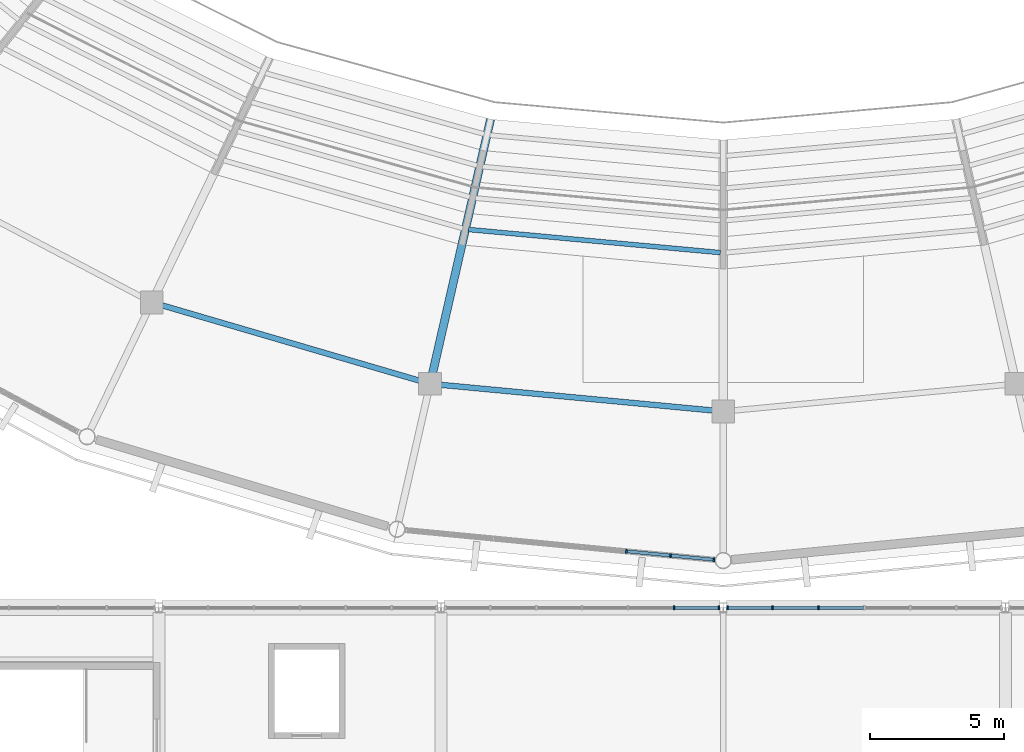
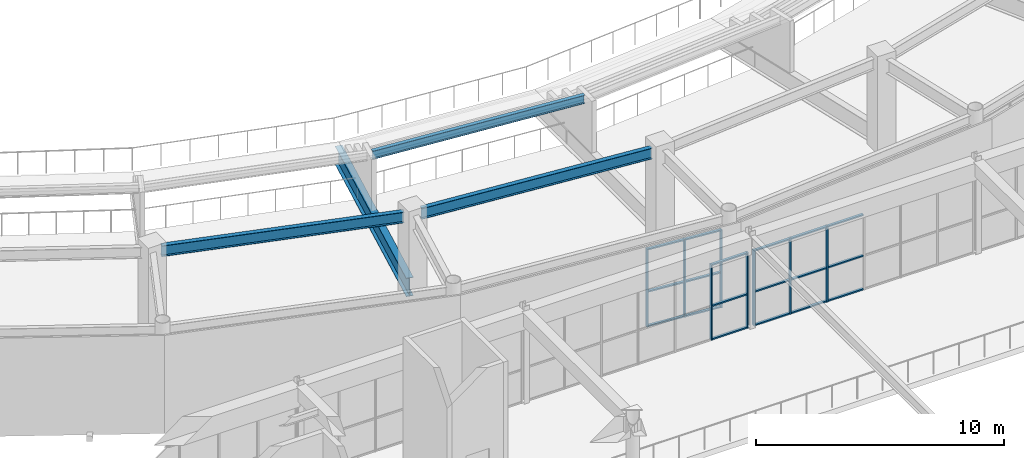
# One storey, part 33 of 122: 26 members, 4 beams, 3 elements without a shape of their own.
"""IFC4 building model written with IfcOpenShell, lengths in metres."""

from ifc_helpers import new_model, si_unit, direction, frame, origin, origin_2d, place, context, subcontext, project, spatial, rectangle, i_section, extrude, material, material_profile, profile_set, type_object, element, aggregate, save


model = new_model("IFC4")

# Units and contexts
model_context = context("Model", 3, precision=1e-05, world=origin(), true_north=direction((0.0, 1.0)))
body_context = subcontext(model_context, "Body", "Model", "MODEL_VIEW")
ifc_project = project(units=[si_unit("LENGTHUNIT", "METRE"), si_unit("AREAUNIT", "SQUARE_METRE"), si_unit("VOLUMEUNIT", "CUBIC_METRE"), si_unit("PLANEANGLEUNIT", "RADIAN"), si_unit("MASSUNIT", "GRAM", prefix="KILO")], contexts=[model_context])

# Site, building, storey
site_placement = place(None, origin())
site = spatial("IfcSite", under=ifc_project, at=site_placement, CompositionType="ELEMENT")
building_placement = place(site_placement, origin())
building = spatial("IfcBuilding", under=site, at=building_placement, Name="Cuetzalor Civic Arena", CompositionType="ELEMENT")
storey_placement = place(building_placement, frame((0.0, 0.0, 16.199951171875)))
storey = spatial("IfcBuildingStorey", under=building, at=storey_placement, Name="L03", CompositionType="ELEMENT", Elevation=16.199951171875)

# Curtain wall, members
ifc_material_1 = material(Name="Anodised dark bronze aluminium and low-E solar glass", Category="aluminium")
curtain_wall_type_1 = type_object("IfcCurtainWallType", Name="UnitisedCW_11550x3850", PredefinedType="USERDEFINED", material=ifc_material_1)
curtain_wall_1_placement = place(storey_placement, origin())
curtain_wall_1 = element("IfcCurtainWall", 1, at=curtain_wall_1_placement, inside=storey, type_object=curtain_wall_type_1, Name="Drum Triangle Foyer Curtain Wall L03-053", ObjectType="UNITISED CURTAIN WALL", PredefinedType="USERDEFINED")
ifc_material_2 = material(Name="Anodised dark bronze aluminium", Category="aluminium")
ifc_material_profile_1 = material_profile(ifc_material_2, rectangle(XDim=0.06494140625, YDim=0.14990234375, at=origin_2d()), Name="ALU MULLION 65x150")
ifc_profile_set_1 = profile_set([ifc_material_profile_1], Name="Anodised dark bronze aluminium")
member_type_1 = type_object("IfcMemberType", Name="CurtainWallMullion_60x150", PredefinedType="MULLION", material=ifc_profile_set_1)
member_1_placement = place(storey_placement, frame((-0.345703125, -46.516845703125, 0.0), z_axis=(0.0, 0.0, 1.0), x_axis=(-0.995409139996, 0.095711253324, 0.0)))
member_1 = element("IfcMember", 2, at=member_1_placement, type_object=member_type_1, Name="CW-14 mullion 1", PredefinedType="MULLION", context=body_context, shape_type="SweptSolid", body=[
    extrude(rectangle(XDim=0.06494140625, YDim=0.14990234375, at=origin_2d()), origin(), (0.0, 0.0, 1.0), 3.83203125),
])
member_2_placement = place(storey_placement, frame((-1.957763671875, -46.36181640625, 0.0), z_axis=(0.0, 0.0, 1.0), x_axis=(-0.995409139996, 0.095711253324, 0.0)))
member_2 = element("IfcMember", 3, at=member_2_placement, type_object=member_type_1, Name="CW-14 mullion 2", PredefinedType="MULLION", context=body_context, shape_type="SweptSolid", body=[
    extrude(rectangle(XDim=0.06494140625, YDim=0.14990234375, at=origin_2d()), origin(), (0.0, 0.0, 1.0), 3.83203125),
])
member_3_placement = place(storey_placement, frame((-3.602294921875, -46.20361328125, 0.0), z_axis=(0.0, 0.0, 1.0), x_axis=(-0.995409139996, 0.095711253324, 0.0)))
member_3 = element("IfcMember", 4, at=member_3_placement, type_object=member_type_1, Name="CW-14 mullion 3", PredefinedType="MULLION", context=body_context, shape_type="SweptSolid", body=[
    extrude(rectangle(XDim=0.06494140625, YDim=0.14990234375, at=origin_2d()), origin(), (0.0, 0.0, 1.0), 3.83203125),
])

ifc_material_3 = material(Name="Anodised dark bronze aluminium and low-E solar glass", Category="aluminium")
curtain_wall_type_2 = type_object("IfcCurtainWallType", Name="StickCW_10250x3700", PredefinedType="USERDEFINED", material=ifc_material_3)
curtain_wall_2_placement = place(storey_placement, origin())
curtain_wall_2 = element("IfcCurtainWall", 5, at=curtain_wall_2_placement, inside=storey, type_object=curtain_wall_type_2, Name="Foyer North Clerestory Curtain Wall L03-096", ObjectType="STICK CURTAIN WALL", PredefinedType="USERDEFINED")
member_4_placement = place(storey_placement, frame((-1.8330078125, -48.300048828125, 0.0), z_axis=(0.0, 0.0, 1.0), x_axis=(1.0, 0.0, 0.0)))
member_4 = element("IfcMember", 6, at=member_4_placement, type_object=member_type_1, Name="CW-30 mullion 6", PredefinedType="MULLION", context=body_context, shape_type="SweptSolid", body=[
    extrude(rectangle(XDim=0.06494140625, YDim=0.14990234375, at=origin_2d()), origin(), (0.0, 0.0, 1.0), 3.719970703125),
])
member_5_placement = place(storey_placement, frame((-0.156982421875, -48.300048828125, 0.0), z_axis=(0.0, 0.0, 1.0), x_axis=(1.0, 0.0, 0.0)))
member_5 = element("IfcMember", 7, at=member_5_placement, type_object=member_type_1, Name="CW-30 mullion 7", PredefinedType="MULLION", context=body_context, shape_type="SweptSolid", body=[
    extrude(rectangle(XDim=0.06494140625, YDim=0.14990234375, at=origin_2d()), origin(), (0.0, 0.0, 1.0), 3.719970703125),
])

curtain_wall_3_placement = place(storey_placement, origin())
curtain_wall_3 = element("IfcCurtainWall", 8, at=curtain_wall_3_placement, inside=storey, type_object=curtain_wall_type_2, Name="Foyer North Clerestory Curtain Wall L03-098", ObjectType="STICK CURTAIN WALL", PredefinedType="USERDEFINED")
member_6_placement = place(storey_placement, frame((0.156982421875, -48.300048828125, 0.0), z_axis=(0.0, 0.0, 1.0), x_axis=(1.0, 0.0, 0.0)))
member_6 = element("IfcMember", 9, at=member_6_placement, type_object=member_type_1, Name="CW-30 mullion 1", PredefinedType="MULLION", context=body_context, shape_type="SweptSolid", body=[
    extrude(rectangle(XDim=0.06494140625, YDim=0.14990234375, at=origin_2d()), origin(), (0.0, 0.0, 1.0), 3.719970703125),
])
member_7_placement = place(storey_placement, frame((1.8330078125, -48.300048828125, 0.0), z_axis=(0.0, 0.0, 1.0), x_axis=(1.0, 0.0, 0.0)))
member_7 = element("IfcMember", 10, at=member_7_placement, type_object=member_type_1, Name="CW-30 mullion 2", PredefinedType="MULLION", context=body_context, shape_type="SweptSolid", body=[
    extrude(rectangle(XDim=0.06494140625, YDim=0.14990234375, at=origin_2d()), origin(), (0.0, 0.0, 1.0), 3.719970703125),
])
member_8_placement = place(storey_placement, frame((3.54150390625, -48.300048828125, 0.0), z_axis=(0.0, 0.0, 1.0), x_axis=(1.0, 0.0, 0.0)))
member_8 = element("IfcMember", 11, at=member_8_placement, type_object=member_type_1, Name="CW-30 mullion 3", PredefinedType="MULLION", context=body_context, shape_type="SweptSolid", body=[
    extrude(rectangle(XDim=0.06494140625, YDim=0.14990234375, at=origin_2d()), origin(), (0.0, 0.0, 1.0), 3.719970703125),
])

# Member
ifc_material_4 = material(Name="Anodised dark bronze aluminium", Category="aluminium")
ifc_material_profile_2 = material_profile(ifc_material_4, rectangle(XDim=0.1201171875, YDim=0.06494140625, at=origin_2d()), Name="ALU TRANSOM 65x120")
ifc_profile_set_2 = profile_set([ifc_material_profile_2], Name="Anodised dark bronze aluminium")
member_type_2 = type_object("IfcMemberType", Name="CurtainWallTransom_60x120", PredefinedType="USERDEFINED", material=ifc_profile_set_2)
member_9_placement = place(storey_placement, frame((-0.3779296875, -46.513671875, 0.032470703125), z_axis=(-0.995416793915, 0.095631618157, 0.0), x_axis=(-0.095631618157, -0.995416793915, 0.0)))
member_9 = element("IfcMember", 12, at=member_9_placement, type_object=member_type_2, Name="CW-14 transom 1.1", ObjectType="TRANSOM", PredefinedType="USERDEFINED", context=body_context, shape_type="SweptSolid", body=[
    extrude(rectangle(XDim=0.1201171875, YDim=0.06494140625, at=origin_2d()), origin(), (0.0, 0.0, 1.0), 1.5546875),
])

member_10_placement = place(storey_placement, frame((-0.3779296875, -46.513671875, 1.72412109375), z_axis=(-0.995416793915, 0.095631618157, 0.0), x_axis=(-0.095631618157, -0.995416793915, 0.0)))
member_10 = element("IfcMember", 13, at=member_10_placement, type_object=member_type_2, Name="CW-14 transom 1.2", ObjectType="TRANSOM", PredefinedType="USERDEFINED", context=body_context, shape_type="SweptSolid", body=[
    extrude(rectangle(XDim=0.1201171875, YDim=0.06494140625, at=origin_2d()), origin(), (0.0, 0.0, 1.0), 1.5546875),
])

member_11_placement = place(storey_placement, frame((-0.3779296875, -46.513671875, 3.799560546875), z_axis=(-0.995416793915, 0.095631618157, 0.0), x_axis=(-0.095631618157, -0.995416793915, 0.0)))
member_11 = element("IfcMember", 14, at=member_11_placement, type_object=member_type_2, Name="CW-14 transom 1.3", ObjectType="TRANSOM", PredefinedType="USERDEFINED", context=body_context, shape_type="SweptSolid", body=[
    extrude(rectangle(XDim=0.1201171875, YDim=0.06494140625, at=origin_2d()), origin(), (0.0, 0.0, 1.0), 1.5546875),
])

member_12_placement = place(storey_placement, frame((-1.990234375, -46.358642578125, 0.032470703125), z_axis=(-0.995412128785, 0.095680164442, 0.0), x_axis=(-0.095680164442, -0.995412128785, 0.0)))
member_12 = element("IfcMember", 15, at=member_12_placement, type_object=member_type_2, Name="CW-14 transom 2.1", ObjectType="TRANSOM", PredefinedType="USERDEFINED", context=body_context, shape_type="SweptSolid", body=[
    extrude(rectangle(XDim=0.1201171875, YDim=0.06494140625, at=origin_2d()), origin(), (0.0, 0.0, 1.0), 1.587158203125),
])

member_13_placement = place(storey_placement, frame((-1.990234375, -46.358642578125, 1.72412109375), z_axis=(-0.995412128785, 0.095680164442, 0.0), x_axis=(-0.095680164442, -0.995412128785, 0.0)))
member_13 = element("IfcMember", 16, at=member_13_placement, type_object=member_type_2, Name="CW-14 transom 2.2", ObjectType="TRANSOM", PredefinedType="USERDEFINED", context=body_context, shape_type="SweptSolid", body=[
    extrude(rectangle(XDim=0.1201171875, YDim=0.06494140625, at=origin_2d()), origin(), (0.0, 0.0, 1.0), 1.587158203125),
])

member_14_placement = place(storey_placement, frame((-1.990234375, -46.358642578125, 3.799560546875), z_axis=(-0.995412128785, 0.095680164442, 0.0), x_axis=(-0.095680164442, -0.995412128785, 0.0)))
member_14 = element("IfcMember", 17, at=member_14_placement, type_object=member_type_2, Name="CW-14 transom 2.3", ObjectType="TRANSOM", PredefinedType="USERDEFINED", context=body_context, shape_type="SweptSolid", body=[
    extrude(rectangle(XDim=0.1201171875, YDim=0.06494140625, at=origin_2d()), origin(), (0.0, 0.0, 1.0), 1.587158203125),
])

aggregate(curtain_wall_1, [member_1, member_2, member_3, member_9, member_10, member_11, member_12, member_13, member_14])

member_15_placement = place(storey_placement, frame((-1.800537109375, -48.300048828125, 0.032470703125), z_axis=(1.0, 0.0, 0.0), x_axis=(0.0, 1.0, 0.0)))
member_15 = element("IfcMember", 18, at=member_15_placement, type_object=member_type_2, Name="CW-30 transom 6.1", ObjectType="TRANSOM", PredefinedType="USERDEFINED", context=body_context, shape_type="SweptSolid", body=[
    extrude(rectangle(XDim=0.1201171875, YDim=0.06494140625, at=origin_2d()), origin(), (0.0, 0.0, 1.0), 1.611083984375),
])

member_16_placement = place(storey_placement, frame((-1.800537109375, -48.300048828125, 1.674072265625), z_axis=(1.0, 0.0, 0.0), x_axis=(0.0, 1.0, 0.0)))
member_16 = element("IfcMember", 19, at=member_16_placement, type_object=member_type_2, Name="CW-30 transom 6.2", ObjectType="TRANSOM", PredefinedType="USERDEFINED", context=body_context, shape_type="SweptSolid", body=[
    extrude(rectangle(XDim=0.1201171875, YDim=0.06494140625, at=origin_2d()), origin(), (0.0, 0.0, 1.0), 1.611083984375),
])

member_17_placement = place(storey_placement, frame((-1.800537109375, -48.300048828125, 3.6875), z_axis=(1.0, 0.0, 0.0), x_axis=(0.0, 1.0, 0.0)))
member_17 = element("IfcMember", 20, at=member_17_placement, type_object=member_type_2, Name="CW-30 transom 6.3", ObjectType="TRANSOM", PredefinedType="USERDEFINED", context=body_context, shape_type="SweptSolid", body=[
    extrude(rectangle(XDim=0.1201171875, YDim=0.06494140625, at=origin_2d()), origin(), (0.0, 0.0, 1.0), 1.611083984375),
])

aggregate(curtain_wall_2, [member_4, member_5, member_15, member_16, member_17])

member_18_placement = place(storey_placement, frame((0.189453125, -48.300048828125, 0.032470703125), z_axis=(1.0, 0.0, 0.0), x_axis=(0.0, 1.0, 0.0)))
member_18 = element("IfcMember", 21, at=member_18_placement, type_object=member_type_2, Name="CW-30 transom 1.1", ObjectType="TRANSOM", PredefinedType="USERDEFINED", context=body_context, shape_type="SweptSolid", body=[
    extrude(rectangle(XDim=0.1201171875, YDim=0.06494140625, at=origin_2d()), origin(), (0.0, 0.0, 1.0), 1.611083984375),
])

member_19_placement = place(storey_placement, frame((0.189453125, -48.300048828125, 1.674072265625), z_axis=(1.0, 0.0, 0.0), x_axis=(0.0, 1.0, 0.0)))
member_19 = element("IfcMember", 22, at=member_19_placement, type_object=member_type_2, Name="CW-30 transom 1.2", ObjectType="TRANSOM", PredefinedType="USERDEFINED", context=body_context, shape_type="SweptSolid", body=[
    extrude(rectangle(XDim=0.1201171875, YDim=0.06494140625, at=origin_2d()), origin(), (0.0, 0.0, 1.0), 1.611083984375),
])

member_20_placement = place(storey_placement, frame((0.189453125, -48.300048828125, 3.6875), z_axis=(1.0, 0.0, 0.0), x_axis=(0.0, 1.0, 0.0)))
member_20 = element("IfcMember", 23, at=member_20_placement, type_object=member_type_2, Name="CW-30 transom 1.3", ObjectType="TRANSOM", PredefinedType="USERDEFINED", context=body_context, shape_type="SweptSolid", body=[
    extrude(rectangle(XDim=0.1201171875, YDim=0.06494140625, at=origin_2d()), origin(), (0.0, 0.0, 1.0), 1.611083984375),
])

member_21_placement = place(storey_placement, frame((1.865478515625, -48.300048828125, 0.032470703125), z_axis=(1.0, 0.0, 0.0), x_axis=(0.0, 1.0, 0.0)))
member_21 = element("IfcMember", 24, at=member_21_placement, type_object=member_type_2, Name="CW-30 transom 2.1", ObjectType="TRANSOM", PredefinedType="USERDEFINED", context=body_context, shape_type="SweptSolid", body=[
    extrude(rectangle(XDim=0.1201171875, YDim=0.06494140625, at=origin_2d()), origin(), (0.0, 0.0, 1.0), 1.6435546875),
])

member_22_placement = place(storey_placement, frame((1.865478515625, -48.300048828125, 1.674072265625), z_axis=(1.0, 0.0, 0.0), x_axis=(0.0, 1.0, 0.0)))
member_22 = element("IfcMember", 25, at=member_22_placement, type_object=member_type_2, Name="CW-30 transom 2.2", ObjectType="TRANSOM", PredefinedType="USERDEFINED", context=body_context, shape_type="SweptSolid", body=[
    extrude(rectangle(XDim=0.1201171875, YDim=0.06494140625, at=origin_2d()), origin(), (0.0, 0.0, 1.0), 1.6435546875),
])

member_23_placement = place(storey_placement, frame((1.865478515625, -48.300048828125, 3.6875), z_axis=(1.0, 0.0, 0.0), x_axis=(0.0, 1.0, 0.0)))
member_23 = element("IfcMember", 26, at=member_23_placement, type_object=member_type_2, Name="CW-30 transom 2.3", ObjectType="TRANSOM", PredefinedType="USERDEFINED", context=body_context, shape_type="SweptSolid", body=[
    extrude(rectangle(XDim=0.1201171875, YDim=0.06494140625, at=origin_2d()), origin(), (0.0, 0.0, 1.0), 1.6435546875),
])

member_24_placement = place(storey_placement, frame((3.573974609375, -48.300048828125, 0.032470703125), z_axis=(1.0, 0.0, 0.0), x_axis=(0.0, 1.0, 0.0)))
member_24 = element("IfcMember", 27, at=member_24_placement, type_object=member_type_2, Name="CW-30 transom 3.1", ObjectType="TRANSOM", PredefinedType="USERDEFINED", context=body_context, shape_type="SweptSolid", body=[
    extrude(rectangle(XDim=0.1201171875, YDim=0.06494140625, at=origin_2d()), origin(), (0.0, 0.0, 1.0), 1.6435546875),
])

member_25_placement = place(storey_placement, frame((3.573974609375, -48.300048828125, 1.674072265625), z_axis=(1.0, 0.0, 0.0), x_axis=(0.0, 1.0, 0.0)))
member_25 = element("IfcMember", 28, at=member_25_placement, type_object=member_type_2, Name="CW-30 transom 3.2", ObjectType="TRANSOM", PredefinedType="USERDEFINED", context=body_context, shape_type="SweptSolid", body=[
    extrude(rectangle(XDim=0.1201171875, YDim=0.06494140625, at=origin_2d()), origin(), (0.0, 0.0, 1.0), 1.6435546875),
])

member_26_placement = place(storey_placement, frame((3.573974609375, -48.300048828125, 3.6875), z_axis=(1.0, 0.0, 0.0), x_axis=(0.0, 1.0, 0.0)))
member_26 = element("IfcMember", 29, at=member_26_placement, type_object=member_type_2, Name="CW-30 transom 3.3", ObjectType="TRANSOM", PredefinedType="USERDEFINED", context=body_context, shape_type="SweptSolid", body=[
    extrude(rectangle(XDim=0.1201171875, YDim=0.06494140625, at=origin_2d()), origin(), (0.0, 0.0, 1.0), 1.6435546875),
])

aggregate(curtain_wall_3, [member_6, member_7, member_8, member_18, member_19, member_20, member_21, member_22, member_23, member_24, member_25, member_26])

# Beams
ifc_material_5 = material(Name="Steel S355", Category="steel")
ifc_material_profile_3 = material_profile(ifc_material_5, i_section(OverallWidth=0.208984375, OverallDepth=0.532958984375, WebThickness=0.01025390625, FlangeThickness=0.015625, at=origin_2d()), Name="W530x92")
ifc_profile_set_3 = profile_set([ifc_material_profile_3], Name="Steel S355")
beam_type_1 = type_object("IfcBeamType", Name="SteelCollarGirder_W530", PredefinedType="BEAM", material=ifc_profile_set_3)
beam_1_placement = place(storey_placement, frame((-20.9052734375, -37.043701171875, 4.253662109375), z_axis=(0.959716323112, -0.280970779889, 0.0), x_axis=(0.280970779889, 0.959716323112, 0.0)))
element("IfcBeam", 30, at=beam_1_placement, inside=storey, type_object=beam_type_1, Name="Drum Concourse Ring Girder L03-S20", PredefinedType="BEAM", context=body_context, shape_type="SweptSolid", body=[
    extrude(i_section(OverallWidth=0.208984375, OverallDepth=0.532958984375, WebThickness=0.01025390625, FlangeThickness=0.015625, at=origin_2d()), origin(), (0.0, 0.0, 1.0), 10.0517578125),
])
beam_2_placement = place(storey_placement, frame((-10.53515625, -40.006591796875, 4.253662109375), z_axis=(0.995583045118, -0.093885037538, 0.0), x_axis=(0.093885037538, 0.995583045118, 0.0)))
element("IfcBeam", 31, at=beam_2_placement, inside=storey, type_object=beam_type_1, Name="Drum Concourse Ring Girder L03-S21", PredefinedType="BEAM", context=body_context, shape_type="SweptSolid", body=[
    extrude(i_section(OverallWidth=0.208984375, OverallDepth=0.532958984375, WebThickness=0.01025390625, FlangeThickness=0.015625, at=origin_2d()), origin(), (0.0, 0.0, 1.0), 10.2119140625),
])
ifc_material_6 = material(Name="Steel S355", Category="steel")
ifc_material_profile_4 = material_profile(ifc_material_6, i_section(OverallWidth=0.177978515625, OverallDepth=0.406982421875, WebThickness=0.0078125, FlangeThickness=0.0126953125, at=origin_2d()), Name="W410x60")
ifc_profile_set_4 = profile_set([ifc_material_profile_4], Name="Steel S355")
beam_type_2 = type_object("IfcBeamType", Name="SteelSecondaryBeam_W410", PredefinedType="BEAM", material=ifc_profile_set_4)
beam_3_placement = place(storey_placement, frame((-9.483154296875, -34.22998046875, 3.25146484375), z_axis=(0.995818478787, -0.091354021841, 0.0), x_axis=(0.091354021841, 0.995818478787, 0.0)))
element("IfcBeam", 32, at=beam_3_placement, inside=storey, type_object=beam_type_2, Name="Upper Bowl Tier Carrier Beam S21-R4", PredefinedType="BEAM", context=body_context, shape_type="SweptSolid", body=[
    extrude(i_section(OverallWidth=0.177978515625, OverallDepth=0.406982421875, WebThickness=0.0078125, FlangeThickness=0.0126953125, at=origin_2d()), origin(), (0.0, 0.0, 1.0), 9.4150390625),
])
ifc_material_7 = material(Name="Steel S355", Category="steel")
ifc_material_profile_5 = material_profile(ifc_material_7, i_section(OverallWidth=0.303955078125, OverallDepth=0.910888671875, WebThickness=0.015869140625, FlangeThickness=0.02392578125, at=origin_2d()), Name="W920x223")
ifc_profile_set_5 = profile_set([ifc_material_profile_5], Name="Steel S355")
beam_type_3 = type_object("IfcBeamType", Name="UpperBowlRakerBeam_W840", PredefinedType="USERDEFINED", material=ifc_profile_set_5)
beam_4_placement = place(storey_placement, frame((-8.656005859375, -30.125244140625, 0.45556640625), z_axis=(-0.222514477125, -0.974929385889, 0.0), x_axis=(0.974929385889, -0.222514477125, 0.0)))
element("IfcBeam", 33, at=beam_4_placement, inside=storey, type_object=beam_type_3, Name="Upper Bowl Raker Beam R21", ObjectType="RAKER", PredefinedType="USERDEFINED", context=body_context, shape_type="SweptSolid", body=[
    extrude(i_section(OverallWidth=0.303955078125, OverallDepth=0.910888671875, WebThickness=0.015869140625, FlangeThickness=0.02392578125, at=origin_2d()), origin(), (0.0, 0.0, 1.0), 9.719970703125),
])

save(model, "model.ifc")
